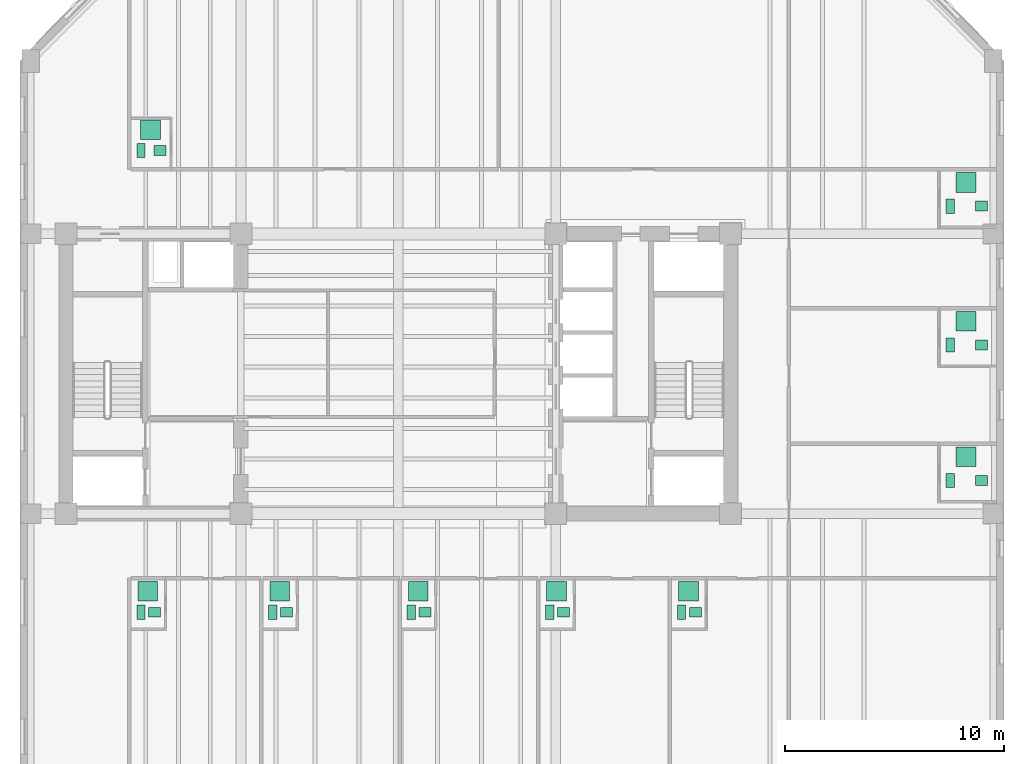
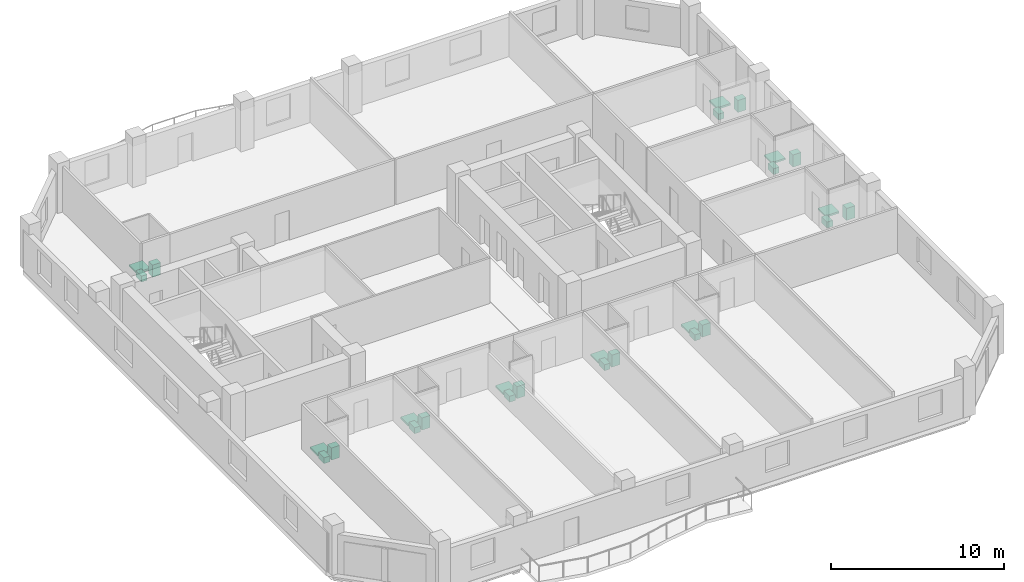
# One storey, part 10 of 10: 27 sanitary terminals.
"""IFC4 building model written with IfcOpenShell, lengths in metres."""

from ifc_helpers import new_model, si_unit, direction, frame, origin, origin_2d, place, context, subcontext, project, spatial, rectangle, extrude, material, type_object, element, save


model = new_model("IFC4")

# Units and contexts
model_context = context("Model", 3, precision=1e-05, world=origin(), true_north=direction((0.0, 1.0)))
body_context = subcontext(model_context, "Body", "Model", "MODEL_VIEW")
ifc_project = project(units=[si_unit("LENGTHUNIT", "METRE"), si_unit("AREAUNIT", "SQUARE_METRE"), si_unit("VOLUMEUNIT", "CUBIC_METRE"), si_unit("PLANEANGLEUNIT", "RADIAN"), si_unit("MASSUNIT", "GRAM", prefix="KILO")], contexts=[model_context])

# Site, building, storey
site_placement = place(None, origin())
site = spatial("IfcSite", under=ifc_project, at=site_placement, CompositionType="ELEMENT")
building_placement = place(site_placement, origin())
building = spatial("IfcBuilding", under=site, at=building_placement, Name="Kranthara Brick Stack", CompositionType="ELEMENT")
storey_placement = place(building_placement, frame((0.0, 0.0, 155.300048828125)))
storey = spatial("IfcBuildingStorey", under=building, at=storey_placement, Name="L39", CompositionType="ELEMENT", Elevation=155.300048828125)

# Sanitary terminals
ifc_material_1 = material(Name="Vitreous china sanitary porcelain", Category="other")
sanitary_terminal_type_1 = type_object("IfcSanitaryTerminalType", Name="SAN-BASIN", PredefinedType="WASHHANDBASIN", material=ifc_material_1)
for number, where, z_axis, x_axis, name in (
    (1, (16.860107421875, 16.294921875, 0.0), (0.0, 0.0, 1.0), (1.0, 0.0, 0.0), "L39 Washbasin 183"),
    (2, (22.889892578125, 16.294921875, 0.0), (0.0, 0.0, 1.0), (1.0, 0.0, 0.0), "L39 Washbasin 184"),
    (3, (29.220947265625, 16.294921875, 0.0), (0.0, 0.0, 1.0), (1.0, 0.0, 0.0), "L39 Washbasin 185"),
    (4, (35.552978515625, 16.294921875, 0.0), (0.0, 0.0, 1.0), (1.0, 0.0, 0.0), "L39 Washbasin 186"),
    (5, (41.5830078125, 16.294921875, 0.0), (0.0, 0.0, 1.0), (1.0, 0.0, 0.0), "L39 Washbasin 187"),
    (6, (17.110107421875, 37.405029296875, 0.0), (0.0, 0.0, 1.0), (1.0, 0.0, 0.0), "L39 Washbasin 188"),
    (7, (54.679931640625, 22.31494140625, 0.0), (0.0, 0.0, 1.0), (1.0, 0.0, 0.0), "L39 Washbasin 189"),
    (8, (54.679931640625, 28.514892578125, 0.0), (0.0, 0.0, 1.0), (1.0, 0.0, 0.0), "L39 Washbasin 190"),
    (9, (54.679931640625, 34.864990234375, 0.0), (0.0, 0.0, 1.0), (1.0, 0.0, 0.0), "L39 Washbasin 191"),
):
    element("IfcSanitaryTerminal", number, at=place(storey_placement, frame(where, z_axis=z_axis, x_axis=x_axis)), inside=storey, type_object=sanitary_terminal_type_1, Name=name, PredefinedType="WASHHANDBASIN", context=body_context, shape_type="SweptSolid", body=[
        extrude(rectangle(XDim=0.550048828125, YDim=0.449951171875, at=origin_2d()), origin(), (0.0, 0.0, 1.0), 0.85009765625),
    ])
ifc_material_2 = material(Name="Acrylic and porcelain shower tray", Category="other")
sanitary_terminal_type_2 = type_object("IfcSanitaryTerminalType", Name="SAN-SHOWER", PredefinedType="SHOWER", material=ifc_material_2)
for number, where, z_axis, x_axis, name in (
    (10, (16.544921875, 17.25, 0.0), (0.0, 0.0, 1.0), (1.0, 0.0, 0.0), "L39 Shower Tray 183"),
    (11, (22.574951171875, 17.25, 0.0), (0.0, 0.0, 1.0), (1.0, 0.0, 0.0), "L39 Shower Tray 184"),
    (12, (28.906005859375, 17.25, 0.0), (0.0, 0.0, 1.0), (1.0, 0.0, 0.0), "L39 Shower Tray 185"),
    (13, (35.238037109375, 17.25, 0.0), (0.0, 0.0, 1.0), (1.0, 0.0, 0.0), "L39 Shower Tray 186"),
    (14, (41.26806640625, 17.25, 0.0), (0.0, 0.0, 1.0), (1.0, 0.0, 0.0), "L39 Shower Tray 187"),
    (15, (16.669921875, 38.360107421875, 0.0), (0.0, 0.0, 1.0), (1.0, 0.0, 0.0), "L39 Shower Tray 188"),
    (16, (53.9599609375, 23.39990234375, 0.0), (0.0, 0.0, 1.0), (1.0, 0.0, 0.0), "L39 Shower Tray 189"),
    (17, (53.9599609375, 29.60009765625, 0.0), (0.0, 0.0, 1.0), (1.0, 0.0, 0.0), "L39 Shower Tray 190"),
    (18, (53.9599609375, 35.949951171875, 0.0), (0.0, 0.0, 1.0), (1.0, 0.0, 0.0), "L39 Shower Tray 191"),
):
    element("IfcSanitaryTerminal", number, at=place(storey_placement, frame(where, z_axis=z_axis, x_axis=x_axis)), inside=storey, type_object=sanitary_terminal_type_2, Name=name, PredefinedType="SHOWER", context=body_context, shape_type="SweptSolid", body=[
        extrude(rectangle(XDim=0.89990234375, YDim=0.89990234375, at=origin_2d()), origin(), (0.0, 0.0, 1.0), 0.1201171875),
    ])
ifc_material_3 = material(Name="Vitreous china sanitary porcelain", Category="other")
sanitary_terminal_type_3 = type_object("IfcSanitaryTerminalType", Name="SAN-WC-PAN", PredefinedType="TOILETPAN", material=ifc_material_3)
for number, where, z_axis, x_axis, name in (
    (19, (16.22998046875, 16.294921875, 0.0), (0.0, 0.0, 1.0), (1.0, 0.0, 0.0), "L39 WC Pan 183"),
    (20, (22.260009765625, 16.294921875, 0.0), (0.0, 0.0, 1.0), (1.0, 0.0, 0.0), "L39 WC Pan 184"),
    (21, (28.591064453125, 16.294921875, 0.0), (0.0, 0.0, 1.0), (1.0, 0.0, 0.0), "L39 WC Pan 185"),
    (22, (34.923095703125, 16.294921875, 0.0), (0.0, 0.0, 1.0), (1.0, 0.0, 0.0), "L39 WC Pan 186"),
    (23, (40.952880859375, 16.294921875, 0.0), (0.0, 0.0, 1.0), (1.0, 0.0, 0.0), "L39 WC Pan 187"),
    (24, (16.22998046875, 37.405029296875, 0.0), (0.0, 0.0, 1.0), (1.0, 0.0, 0.0), "L39 WC Pan 188"),
    (25, (53.239990234375, 22.31494140625, 0.0), (0.0, 0.0, 1.0), (1.0, 0.0, 0.0), "L39 WC Pan 189"),
    (26, (53.239990234375, 28.514892578125, 0.0), (0.0, 0.0, 1.0), (1.0, 0.0, 0.0), "L39 WC Pan 190"),
    (27, (53.239990234375, 34.864990234375, 0.0), (0.0, 0.0, 1.0), (1.0, 0.0, 0.0), "L39 WC Pan 191"),
):
    element("IfcSanitaryTerminal", number, at=place(storey_placement, frame(where, z_axis=z_axis, x_axis=x_axis)), inside=storey, type_object=sanitary_terminal_type_3, Name=name, PredefinedType="TOILETPAN", context=body_context, shape_type="SweptSolid", body=[
        extrude(rectangle(XDim=0.3798828125, YDim=0.64990234375, at=origin_2d()), origin(), (0.0, 0.0, 1.0), 0.419921875),
    ])

save(model, "model.ifc")
